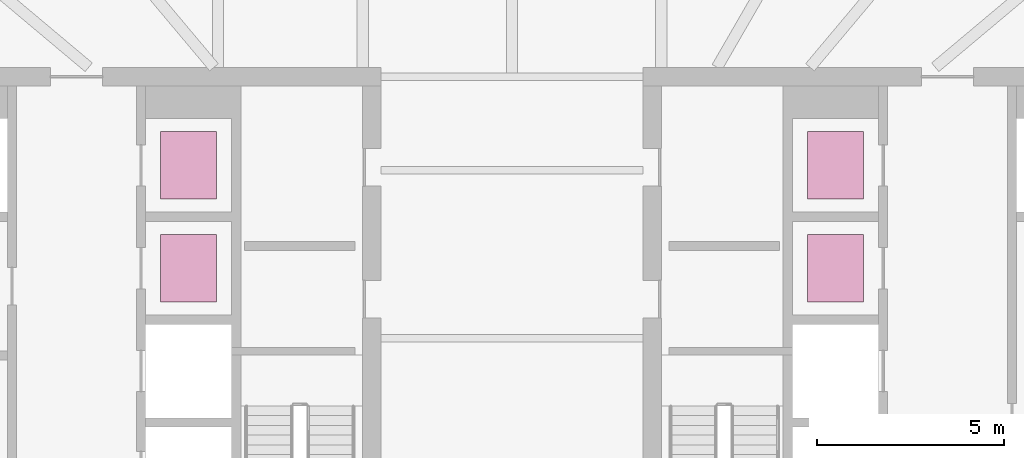
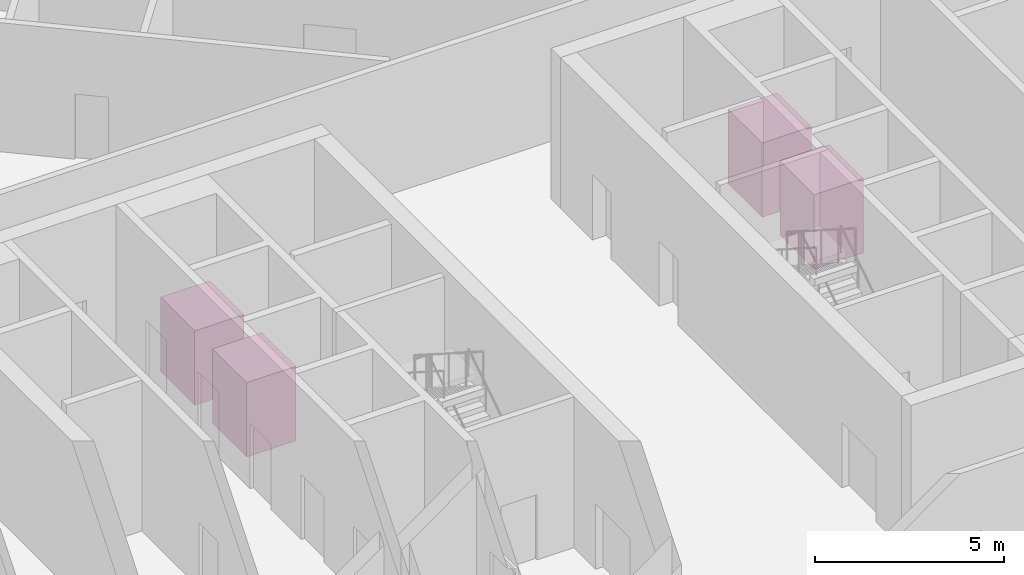
# One storey, part 18 of 19: 4 transport elements.
"""IFC4 building model written with IfcOpenShell, lengths in metres."""

from ifc_helpers import new_model, si_unit, direction, frame, origin, origin_2d, place, context, subcontext, project, spatial, rectangle, extrude, material, type_object, element, save


model = new_model("IFC4")

# Units and contexts
model_context = context("Model", 3, precision=1e-05, world=origin(), true_north=direction((0.0, 1.0)))
body_context = subcontext(model_context, "Body", "Model", "MODEL_VIEW")
ifc_project = project(units=[si_unit("LENGTHUNIT", "METRE"), si_unit("AREAUNIT", "SQUARE_METRE"), si_unit("VOLUMEUNIT", "CUBIC_METRE"), si_unit("PLANEANGLEUNIT", "RADIAN"), si_unit("MASSUNIT", "GRAM", prefix="KILO")], contexts=[model_context])

# Site, building, storey
site_placement = place(None, origin())
site = spatial("IfcSite", under=ifc_project, at=site_placement, CompositionType="ELEMENT")
building_placement = place(site_placement, origin())
building = spatial("IfcBuilding", under=site, at=building_placement, Name="Tamarind Cross Interchange Tower", CompositionType="ELEMENT")
storey_placement = place(building_placement, frame((0.0, 0.0, 214.89990234375)))
storey = spatial("IfcBuildingStorey", under=building, at=storey_placement, Name="L54", CompositionType="ELEMENT", Elevation=214.89990234375)

# Transport elements
ifc_material = material(Name="High-rise passenger lift car 1800 x 1500")
transport_element_type = type_object("IfcTransportElementType", Name="High-rise passenger lift car 1800 x 1500", PredefinedType="ELEVATOR", material=ifc_material)
for number, where, z_axis, x_axis, name in (
    (1, (-8.64990234375, 4.125, 0.000244140625), (0.0, 0.0, 1.0), (1.0, 0.0, 0.0), "High-rise passenger lift HR1 LF11"),
    (2, (-8.64990234375, 6.875, 0.000244140625), (0.0, 0.0, 1.0), (1.0, 0.0, 0.0), "High-rise passenger lift HR2 LF12"),
    (3, (8.64990234375, 4.125, 0.000244140625), (0.0, 0.0, 1.0), (1.0, 0.0, 0.0), "High-rise passenger lift HR3 LF23"),
    (4, (8.64990234375, 6.875, 0.000244140625), (0.0, 0.0, 1.0), (1.0, 0.0, 0.0), "High-rise passenger lift HR4 LF24"),
):
    element("IfcTransportElement", number, at=place(storey_placement, frame(where, z_axis=z_axis, x_axis=x_axis)), inside=storey, type_object=transport_element_type, Name=name, PredefinedType="ELEVATOR", context=body_context, shape_type="SweptSolid", body=[
        extrude(rectangle(XDim=1.5, YDim=1.800048828125, at=origin_2d()), origin(), (0.0, 0.0, 1.0), 2.39990234375),
    ])

save(model, "model.ifc")
